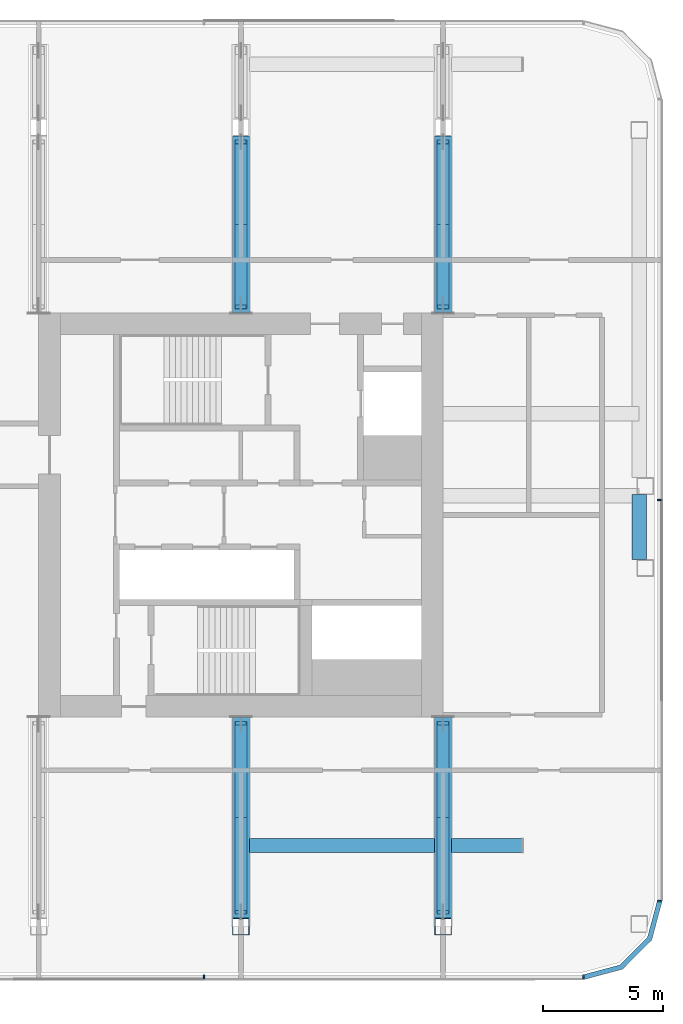
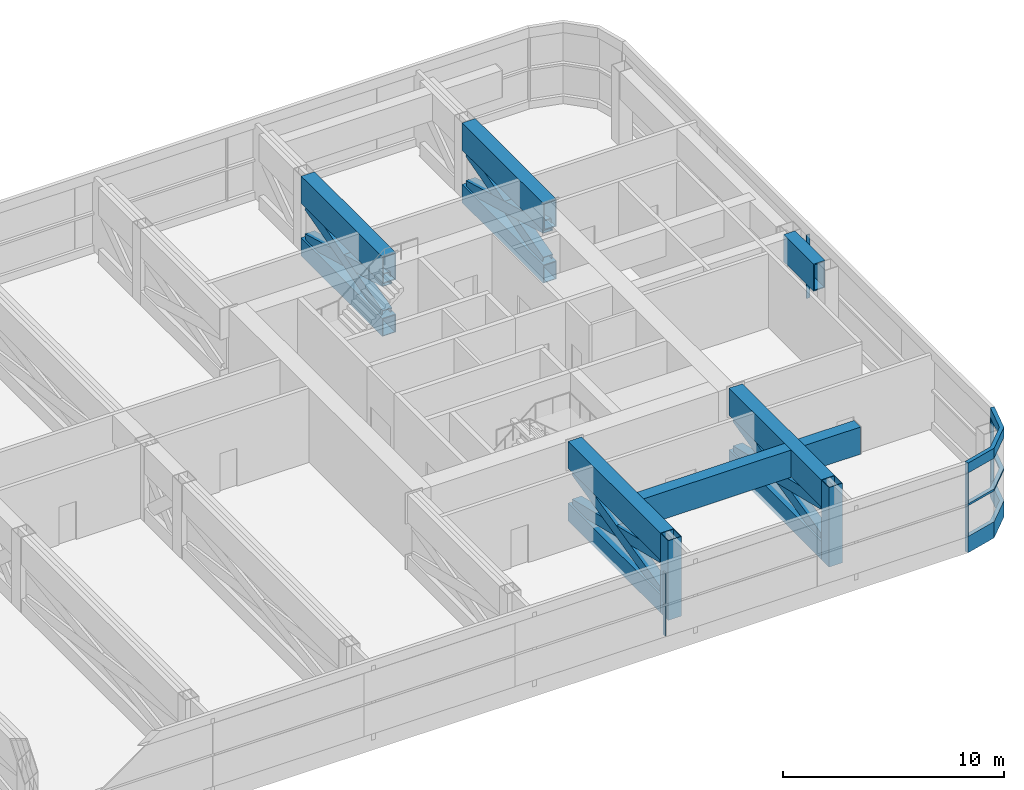
# One storey, part 11 of 33: 29 members, 2 beams, 3 elements without a shape of their own.
"""IFC4 building model written with IfcOpenShell, lengths in metres."""

from ifc_helpers import new_model, si_unit, direction, frame, origin, origin_2d, place, context, subcontext, project, spatial, polyline, rectangle, hollow_rectangle, outline, extrude, material, layer, layer_set, material_profile, profile_set, type_object, element, aggregate, save


model = new_model("IFC4")

# Units and contexts
model_context = context("Model", 3, precision=1e-05, world=origin(), true_north=direction((0.0, 1.0)))
body_context = subcontext(model_context, "Body", "Model", "MODEL_VIEW")
ifc_project = project(units=[si_unit("LENGTHUNIT", "METRE"), si_unit("AREAUNIT", "SQUARE_METRE"), si_unit("VOLUMEUNIT", "CUBIC_METRE"), si_unit("PLANEANGLEUNIT", "RADIAN"), si_unit("MASSUNIT", "GRAM", prefix="KILO")], contexts=[model_context])

# Site, building, storey
site_placement = place(None, origin())
site = spatial("IfcSite", under=ifc_project, at=site_placement, CompositionType="ELEMENT")
building_placement = place(site_placement, origin())
building = spatial("IfcBuilding", under=site, at=building_placement, Name="Hakoniwa Tower and Hamabe Station Hall", CompositionType="ELEMENT")
storey_placement = place(building_placement, frame((0.0, 0.0, 175.800048828125)))
storey = spatial("IfcBuildingStorey", under=building, at=storey_placement, Name="L50", CompositionType="ELEMENT", Elevation=175.800048828125)

# Curtain wall, members
ifc_material_1 = material(Name="Dark low-e laminated glass", Category="glass")
ifc_layer = layer(ifc_material_1, 0.199951171875)
ifc_layer_set = layer_set([ifc_layer], Name="CW-6 PLANT LOUVRE")
curtain_wall_type = type_object("IfcCurtainWallType", Name="CW-6 PLANT LOUVRE", PredefinedType="NOTDEFINED", material=ifc_layer_set)
curtain_wall_1_placement = place(storey_placement, origin())
curtain_wall_1 = element("IfcCurtainWall", 1, at=curtain_wall_1_placement, inside=storey, type_object=curtain_wall_type, Name="CW-6 curtain wall", PredefinedType="NOTDEFINED")
ifc_material_2 = material(Name="Aluminium 6063-T5 black anodised", Category="aluminium")
ifc_material_profile_1 = material_profile(ifc_material_2, rectangle(XDim=0.199951171875, YDim=0.550048828125, at=origin_2d()), Name="CW HEAD BAND 550X200")
ifc_profile_set_1 = profile_set([ifc_material_profile_1], Name="Aluminium 6063-T5 black anodised")
member_type_1 = type_object("IfcMemberType", Name="CW HEAD BAND 550X200", PredefinedType="USERDEFINED", material=ifc_profile_set_1)
member_1_placement = place(storey_placement, frame((0.0, 0.0, 3.849853515625)))
member_1 = element("IfcMember", 2, at=member_1_placement, type_object=member_type_1, Name="CW-6 transom", ObjectType="TRANSOM", PredefinedType="USERDEFINED", context=body_context, shape_type="SweptSolid", body=[
    extrude(outline(polyline([(39.439453125, -19.300048828125), (41.05517578125, -18.866943359375), (42.26708984375, -17.6552734375), (42.699951171875, -16.03955078125), (42.5068359375, -15.98779296875), (42.087646484375, -17.5517578125), (40.95166015625, -18.687744140625), (39.3876953125, -19.10693359375), (39.439453125, -19.300048828125)])), origin(), (0.0, 0.0, 1.0), 0.550048828125),
])
ifc_material_3 = material(Name="Aluminium 6063-T5 black anodised", Category="aluminium")
ifc_material_profile_2 = material_profile(ifc_material_3, rectangle(XDim=0.199951171875, YDim=0.1201171875, at=origin_2d()), Name="CW MID TRANSOM 120X200")
ifc_profile_set_2 = profile_set([ifc_material_profile_2], Name="Aluminium 6063-T5 black anodised")
member_type_2 = type_object("IfcMemberType", Name="CW MID TRANSOM 120X200", PredefinedType="USERDEFINED", material=ifc_profile_set_2)
member_2_placement = place(storey_placement, frame((0.0, 0.0, 2.0400390625)))
member_2 = element("IfcMember", 3, at=member_2_placement, type_object=member_type_2, Name="CW-6 transom", ObjectType="TRANSOM", PredefinedType="USERDEFINED", context=body_context, shape_type="SweptSolid", body=[
    extrude(outline(polyline([(39.439453125, -19.300048828125), (41.05517578125, -18.866943359375), (42.26708984375, -17.6552734375), (42.699951171875, -16.03955078125), (42.5068359375, -15.98779296875), (42.087646484375, -17.5517578125), (40.95166015625, -18.687744140625), (39.3876953125, -19.10693359375), (39.439453125, -19.300048828125)])), origin(), (0.0, 0.0, 1.0), 0.119873046875),
])
ifc_material_4 = material(Name="Aluminium 6063-T5 black anodised", Category="aluminium")
ifc_material_profile_3 = material_profile(ifc_material_4, rectangle(XDim=0.199951171875, YDim=0.89990234375, at=origin_2d()), Name="CW SLAB-EDGE BAND 900X200")
ifc_profile_set_3 = profile_set([ifc_material_profile_3], Name="Aluminium 6063-T5 black anodised")
member_type_3 = type_object("IfcMemberType", Name="CW SLAB-EDGE BAND 900X200", PredefinedType="USERDEFINED", material=ifc_profile_set_3)
member_3_placement = place(storey_placement, frame((0.0, 0.0, -0.550048828125)))
member_3 = element("IfcMember", 4, at=member_3_placement, type_object=member_type_3, Name="CW-6 transom", ObjectType="TRANSOM", PredefinedType="USERDEFINED", context=body_context, shape_type="SweptSolid", body=[
    extrude(outline(polyline([(39.439453125, -19.300048828125), (41.05517578125, -18.866943359375), (42.26708984375, -17.6552734375), (42.699951171875, -16.03955078125), (42.5068359375, -15.98779296875), (42.087646484375, -17.5517578125), (40.95166015625, -18.687744140625), (39.3876953125, -19.10693359375), (39.439453125, -19.300048828125)])), origin(), (0.0, 0.0, 1.0), 0.89990234375),
])
aggregate(curtain_wall_1, [member_3, member_2, member_1])

curtain_wall_2_placement = place(storey_placement, origin())
curtain_wall_2 = element("IfcCurtainWall", 5, at=curtain_wall_2_placement, inside=storey, type_object=curtain_wall_type, Name="CW-6 curtain wall", PredefinedType="NOTDEFINED")
ifc_material_5 = material(Name="Aluminium 6063-T5 black anodised", Category="aluminium")
ifc_material_profile_4 = material_profile(ifc_material_5, rectangle(XDim=0.06005859375, YDim=0.179931640625, at=origin_2d()), Name="CW-1 MULLION 60X180")
ifc_profile_set_4 = profile_set([ifc_material_profile_4], Name="Aluminium 6063-T5 black anodised")
member_type_4 = type_object("IfcMemberType", Name="CW-1 MULLION 60X180", PredefinedType="MULLION", material=ifc_profile_set_4)
member_4_placement = place(storey_placement, frame((42.58203125, -16.03955078125, 0.349853515625), z_axis=(0.0, 0.0, 1.0), x_axis=(0.0, 1.0, 0.0)))
member_4 = element("IfcMember", 6, at=member_4_placement, type_object=member_type_4, Name="CW-6 mullion", PredefinedType="MULLION", context=body_context, shape_type="SweptSolid", body=[
    extrude(rectangle(XDim=0.06005859375, YDim=0.179931640625, at=origin_2d()), origin(), (0.0, 0.0, 1.0), 1.690185546875),
])
member_5_placement = place(storey_placement, frame((42.58203125, -16.03955078125, 2.159912109375), z_axis=(0.0, 0.0, 1.0), x_axis=(0.0, 1.0, 0.0)))
member_5 = element("IfcMember", 7, at=member_5_placement, type_object=member_type_4, Name="CW-6 mullion", PredefinedType="MULLION", context=body_context, shape_type="SweptSolid", body=[
    extrude(rectangle(XDim=0.06005859375, YDim=0.179931640625, at=origin_2d()), origin(), (0.0, 0.0, 1.0), 1.68994140625),
])
member_6_placement = place(storey_placement, frame((42.58203125, 0.625, 0.349853515625), z_axis=(0.0, 0.0, 1.0), x_axis=(0.0, 1.0, 0.0)))
member_6 = element("IfcMember", 8, at=member_6_placement, type_object=member_type_4, Name="CW-6 mullion", PredefinedType="MULLION", context=body_context, shape_type="SweptSolid", body=[
    extrude(rectangle(XDim=0.06005859375, YDim=0.179931640625, at=origin_2d()), origin(), (0.0, 0.0, 1.0), 1.690185546875),
])
member_7_placement = place(storey_placement, frame((42.58203125, 0.625, 2.159912109375), z_axis=(0.0, 0.0, 1.0), x_axis=(0.0, 1.0, 0.0)))
member_7 = element("IfcMember", 9, at=member_7_placement, type_object=member_type_4, Name="CW-6 mullion", PredefinedType="MULLION", context=body_context, shape_type="SweptSolid", body=[
    extrude(rectangle(XDim=0.06005859375, YDim=0.179931640625, at=origin_2d()), origin(), (0.0, 0.0, 1.0), 1.68994140625),
])
aggregate(curtain_wall_2, [member_4, member_5, member_6, member_7])

curtain_wall_3_placement = place(storey_placement, origin())
curtain_wall_3 = element("IfcCurtainWall", 10, at=curtain_wall_3_placement, inside=storey, type_object=curtain_wall_type, Name="CW-6 curtain wall", PredefinedType="NOTDEFINED")
member_8_placement = place(storey_placement, frame((23.663818359375, -19.181884765625, 0.349853515625), z_axis=(0.0, 0.0, 1.0), x_axis=(1.0, 0.0, 0.0)))
member_8 = element("IfcMember", 11, at=member_8_placement, type_object=member_type_4, Name="CW-6 mullion", PredefinedType="MULLION", context=body_context, shape_type="SweptSolid", body=[
    extrude(rectangle(XDim=0.06005859375, YDim=0.179931640625, at=origin_2d()), origin(), (0.0, 0.0, 1.0), 1.690185546875),
])
member_9_placement = place(storey_placement, frame((23.663818359375, -19.181884765625, 2.159912109375), z_axis=(0.0, 0.0, 1.0), x_axis=(1.0, 0.0, 0.0)))
member_9 = element("IfcMember", 12, at=member_9_placement, type_object=member_type_4, Name="CW-6 mullion", PredefinedType="MULLION", context=body_context, shape_type="SweptSolid", body=[
    extrude(rectangle(XDim=0.06005859375, YDim=0.179931640625, at=origin_2d()), origin(), (0.0, 0.0, 1.0), 1.68994140625),
])
member_10_placement = place(storey_placement, frame((39.439453125, -19.181884765625, 0.349853515625), z_axis=(0.0, 0.0, 1.0), x_axis=(1.0, 0.0, 0.0)))
member_10 = element("IfcMember", 13, at=member_10_placement, type_object=member_type_4, Name="CW-6 mullion", PredefinedType="MULLION", context=body_context, shape_type="SweptSolid", body=[
    extrude(rectangle(XDim=0.06005859375, YDim=0.179931640625, at=origin_2d()), origin(), (0.0, 0.0, 1.0), 1.690185546875),
])
member_11_placement = place(storey_placement, frame((39.439453125, -19.181884765625, 2.159912109375), z_axis=(0.0, 0.0, 1.0), x_axis=(1.0, 0.0, 0.0)))
member_11 = element("IfcMember", 14, at=member_11_placement, type_object=member_type_4, Name="CW-6 mullion", PredefinedType="MULLION", context=body_context, shape_type="SweptSolid", body=[
    extrude(rectangle(XDim=0.06005859375, YDim=0.179931640625, at=origin_2d()), origin(), (0.0, 0.0, 1.0), 1.68994140625),
])
aggregate(curtain_wall_3, [member_8, member_9, member_10, member_11])

# Beams
ifc_material_6 = material(Name="Steel SN490C", Category="steel")
ifc_material_profile_5 = material_profile(ifc_material_6, hollow_rectangle(XDim=0.60009765625, YDim=1.5, WallThickness=0.054931640625, at=origin_2d()), Name="BX-1500x600x55")
ifc_profile_set_5 = profile_set([ifc_material_profile_5], Name="Steel SN490C")
beam_type = type_object("IfcBeamType", Name="TRANSFER GIRDER BX-1500x600x55", PredefinedType="BEAM", material=ifc_profile_set_5)
beam_1_placement = place(storey_placement, frame((25.199951171875, -13.72802734375, 3.349853515625), z_axis=(1.0, 0.0, 0.0), x_axis=(0.0, 1.0, 0.0)))
element("IfcBeam", 15, at=beam_1_placement, inside=storey, type_object=beam_type, Name="Truss L50-XG2", PredefinedType="BEAM", context=body_context, shape_type="SweptSolid", body=[
    extrude(hollow_rectangle(XDim=0.60009765625, YDim=1.5, WallThickness=0.054931640625, at=origin_2d()), origin(), (0.0, 0.0, 1.0), 11.677978515625),
])
beam_2_placement = place(storey_placement, frame((41.748046875, -1.85009765625, 3.349853515625), z_axis=(0.0, 1.0, 0.0), x_axis=(-1.0, 0.0, 0.0)))
element("IfcBeam", 16, at=beam_2_placement, inside=storey, type_object=beam_type, Name="Truss L50-EB2", PredefinedType="BEAM", context=body_context, shape_type="SweptSolid", body=[
    extrude(hollow_rectangle(XDim=0.60009765625, YDim=1.5, WallThickness=0.054931640625, at=origin_2d()), origin(), (0.0, 0.0, 1.0), 2.7001953125),
])

# Members
ifc_material_7 = material(Name="Steel SN490C", Category="steel")
ifc_material_profile_6 = material_profile(ifc_material_7, hollow_rectangle(XDim=0.699951171875, YDim=1.0, WallThickness=0.0400390625, at=origin_2d()), Name="BX-1000x700x40")
ifc_profile_set_6 = profile_set([ifc_material_profile_6], Name="Steel SN490C")
member_type_5 = type_object("IfcMemberType", Name="TRUSS CHORD BX-1000x700x40", PredefinedType="CHORD", material=ifc_profile_set_6)
member_12_placement = place(storey_placement, frame((25.199951171875, -16.75, 0.199951171875), z_axis=(0.0, 1.0, 0.0), x_axis=(-1.0, 0.0, 0.0)))
element("IfcMember", 17, at=member_12_placement, inside=storey, type_object=member_type_5, Name="Truss T3-16-BC01", PredefinedType="CHORD", context=body_context, shape_type="SweptSolid", body=[
    extrude(hollow_rectangle(XDim=0.699951171875, YDim=1.0, WallThickness=0.0400390625, at=origin_2d()), origin(), (0.0, 0.0, 1.0), 8.35009765625),
])
member_13_placement = place(storey_placement, frame((25.199951171875, 8.39990234375, 0.199951171875), z_axis=(0.0, 1.0, 0.0), x_axis=(-1.0, 0.0, 0.0)))
element("IfcMember", 18, at=member_13_placement, inside=storey, type_object=member_type_5, Name="Truss T3-17-BC01", PredefinedType="CHORD", context=body_context, shape_type="SweptSolid", body=[
    extrude(hollow_rectangle(XDim=0.699951171875, YDim=1.0, WallThickness=0.0400390625, at=origin_2d()), origin(), (0.0, 0.0, 1.0), 7.35009765625),
])
member_14_placement = place(storey_placement, frame((33.60009765625, -16.75, 0.199951171875), z_axis=(0.0, 1.0, 0.0), x_axis=(-1.0, 0.0, 0.0)))
element("IfcMember", 19, at=member_14_placement, inside=storey, type_object=member_type_5, Name="Truss T3-18-BC01", PredefinedType="CHORD", context=body_context, shape_type="SweptSolid", body=[
    extrude(hollow_rectangle(XDim=0.699951171875, YDim=1.0, WallThickness=0.0400390625, at=origin_2d()), origin(), (0.0, 0.0, 1.0), 8.35009765625),
])
member_15_placement = place(storey_placement, frame((33.60009765625, 8.39990234375, 0.199951171875), z_axis=(0.0, 1.0, 0.0), x_axis=(-1.0, 0.0, 0.0)))
element("IfcMember", 20, at=member_15_placement, inside=storey, type_object=member_type_5, Name="Truss T3-19-BC01", PredefinedType="CHORD", context=body_context, shape_type="SweptSolid", body=[
    extrude(hollow_rectangle(XDim=0.699951171875, YDim=1.0, WallThickness=0.0400390625, at=origin_2d()), origin(), (0.0, 0.0, 1.0), 7.35009765625),
])
ifc_material_8 = material(Name="Steel SN490C", Category="steel")
ifc_material_profile_7 = material_profile(ifc_material_8, hollow_rectangle(XDim=0.699951171875, YDim=1.5, WallThickness=0.054931640625, at=origin_2d()), Name="BX-1500x700x55")
ifc_profile_set_7 = profile_set([ifc_material_profile_7], Name="Steel SN490C")
member_type_6 = type_object("IfcMemberType", Name="TRUSS CHORD BX-1500x700x55", PredefinedType="CHORD", material=ifc_profile_set_7)
member_16_placement = place(storey_placement, frame((25.199951171875, -16.75, 3.349853515625), z_axis=(0.0, 1.0, 0.0), x_axis=(-1.0, 0.0, 0.0)))
element("IfcMember", 21, at=member_16_placement, inside=storey, type_object=member_type_6, Name="Truss T3-16-TC01", PredefinedType="CHORD", context=body_context, shape_type="SweptSolid", body=[
    extrude(hollow_rectangle(XDim=0.699951171875, YDim=1.5, WallThickness=0.054931640625, at=origin_2d()), origin(), (0.0, 0.0, 1.0), 8.35009765625),
])
member_17_placement = place(storey_placement, frame((25.199951171875, 8.39990234375, 3.349853515625), z_axis=(0.0, 1.0, 0.0), x_axis=(-1.0, 0.0, 0.0)))
element("IfcMember", 22, at=member_17_placement, inside=storey, type_object=member_type_6, Name="Truss T3-17-TC01", PredefinedType="CHORD", context=body_context, shape_type="SweptSolid", body=[
    extrude(hollow_rectangle(XDim=0.699951171875, YDim=1.5, WallThickness=0.054931640625, at=origin_2d()), origin(), (0.0, 0.0, 1.0), 7.35009765625),
])
member_18_placement = place(storey_placement, frame((33.60009765625, -16.75, 3.349853515625), z_axis=(0.0, 1.0, 0.0), x_axis=(-1.0, 0.0, 0.0)))
element("IfcMember", 23, at=member_18_placement, inside=storey, type_object=member_type_6, Name="Truss T3-18-TC01", PredefinedType="CHORD", context=body_context, shape_type="SweptSolid", body=[
    extrude(hollow_rectangle(XDim=0.699951171875, YDim=1.5, WallThickness=0.054931640625, at=origin_2d()), origin(), (0.0, 0.0, 1.0), 8.35009765625),
])
member_19_placement = place(storey_placement, frame((33.60009765625, 8.39990234375, 3.349853515625), z_axis=(0.0, 1.0, 0.0), x_axis=(-1.0, 0.0, 0.0)))
element("IfcMember", 24, at=member_19_placement, inside=storey, type_object=member_type_6, Name="Truss T3-19-TC01", PredefinedType="CHORD", context=body_context, shape_type="SweptSolid", body=[
    extrude(hollow_rectangle(XDim=0.699951171875, YDim=1.5, WallThickness=0.054931640625, at=origin_2d()), origin(), (0.0, 0.0, 1.0), 7.35009765625),
])
ifc_material_9 = material(Name="Steel SN490C", Category="steel")
ifc_material_profile_8 = material_profile(ifc_material_9, hollow_rectangle(XDim=0.5, YDim=0.60009765625, WallThickness=0.028076171875, at=origin_2d()), Name="BX-600x500x28")
ifc_profile_set_8 = profile_set([ifc_material_profile_8], Name="Steel SN490C")
member_type_7 = type_object("IfcMemberType", Name="TRUSS DIAGONAL BX-600x500x28", PredefinedType="BRACE", material=ifc_profile_set_8)
for number, where, z_axis, x_axis, name in (
    (25, (25.199951171875, -16.5, 0.699951171875), (0.0, 0.97193938167, 0.235231456993), (-1.0, 0.0, 0.0), "Truss T3-16-D01a"),
    (26, (25.199951171875, -16.5, 2.599853515625), (0.0, 0.97193938167, -0.235231456993), (-1.0, 0.0, 0.0), "Truss T3-16-D01b"),
):
    element("IfcMember", number, at=place(storey_placement, frame(where, z_axis=z_axis, x_axis=x_axis)), inside=storey, type_object=member_type_7, Name=name, PredefinedType="BRACE", context=body_context, shape_type="SweptSolid", body=[
        extrude(hollow_rectangle(XDim=0.5, YDim=0.60009765625, WallThickness=0.028076171875, at=origin_2d()), origin(), (0.0, 0.0, 1.0), 8.07666015625),
    ])
for number, where, z_axis, x_axis, name in (
    (27, (25.199951171875, 8.64990234375, 0.699951171875), (0.0, 0.963623130334, 0.267264780108), (-1.0, 0.0, 0.0), "Truss T3-17-D01a"),
    (28, (25.199951171875, 8.64990234375, 2.599853515625), (0.0, 0.963623130334, -0.267264780108), (-1.0, 0.0, 0.0), "Truss T3-17-D01b"),
):
    element("IfcMember", number, at=place(storey_placement, frame(where, z_axis=z_axis, x_axis=x_axis)), inside=storey, type_object=member_type_7, Name=name, PredefinedType="BRACE", context=body_context, shape_type="SweptSolid", body=[
        extrude(hollow_rectangle(XDim=0.5, YDim=0.60009765625, WallThickness=0.028076171875, at=origin_2d()), origin(), (0.0, 0.0, 1.0), 7.108642578125),
    ])
for number, where, z_axis, x_axis, name in (
    (29, (33.60009765625, -16.5, 0.699951171875), (0.0, 0.97193938167, 0.235231456993), (-1.0, 0.0, 0.0), "Truss T3-18-D01a"),
    (30, (33.60009765625, -16.5, 2.599853515625), (0.0, 0.97193938167, -0.235231456993), (-1.0, 0.0, 0.0), "Truss T3-18-D01b"),
):
    element("IfcMember", number, at=place(storey_placement, frame(where, z_axis=z_axis, x_axis=x_axis)), inside=storey, type_object=member_type_7, Name=name, PredefinedType="BRACE", context=body_context, shape_type="SweptSolid", body=[
        extrude(hollow_rectangle(XDim=0.5, YDim=0.60009765625, WallThickness=0.028076171875, at=origin_2d()), origin(), (0.0, 0.0, 1.0), 8.07666015625),
    ])
for number, where, z_axis, x_axis, name in (
    (31, (33.60009765625, 8.64990234375, 0.699951171875), (0.0, 0.963623130334, 0.267264780108), (-1.0, 0.0, 0.0), "Truss T3-19-D01a"),
    (32, (33.60009765625, 8.64990234375, 2.599853515625), (0.0, 0.963623130334, -0.267264780108), (-1.0, 0.0, 0.0), "Truss T3-19-D01b"),
):
    element("IfcMember", number, at=place(storey_placement, frame(where, z_axis=z_axis, x_axis=x_axis)), inside=storey, type_object=member_type_7, Name=name, PredefinedType="BRACE", context=body_context, shape_type="SweptSolid", body=[
        extrude(hollow_rectangle(XDim=0.5, YDim=0.60009765625, WallThickness=0.028076171875, at=origin_2d()), origin(), (0.0, 0.0, 1.0), 7.108642578125),
    ])
ifc_material_10 = material(Name="Steel SN490C", Category="steel")
ifc_material_profile_9 = material_profile(ifc_material_10, hollow_rectangle(XDim=0.699951171875, YDim=0.699951171875, WallThickness=0.028076171875, at=origin_2d()), Name="BX-700x700x28")
ifc_profile_set_9 = profile_set([ifc_material_profile_9], Name="Steel SN490C")
member_type_8 = type_object("IfcMemberType", Name="TRUSS POST BX-700x700x28", PredefinedType="POST", material=ifc_profile_set_9)
for number, where, z_axis, x_axis, name in (
    (33, (25.199951171875, -17.10009765625, -0.300048828125), (0.0, 0.0, 1.0), (1.0, 0.0, 0.0), "Truss T3-16-P01"),
    (34, (33.60009765625, -17.10009765625, -0.300048828125), (0.0, 0.0, 1.0), (1.0, 0.0, 0.0), "Truss T3-18-P01"),
):
    element("IfcMember", number, at=place(storey_placement, frame(where, z_axis=z_axis, x_axis=x_axis)), inside=storey, type_object=member_type_8, Name=name, PredefinedType="POST", context=body_context, shape_type="SweptSolid", body=[
        extrude(hollow_rectangle(XDim=0.699951171875, YDim=0.699951171875, WallThickness=0.028076171875, at=origin_2d()), origin(), (0.0, 0.0, 1.0), 4.39990234375),
    ])

save(model, "model.ifc")
